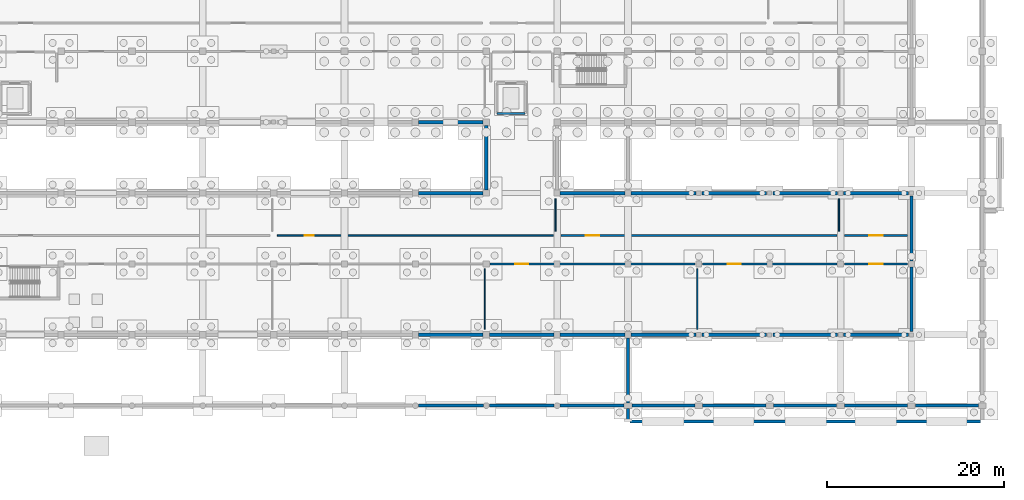
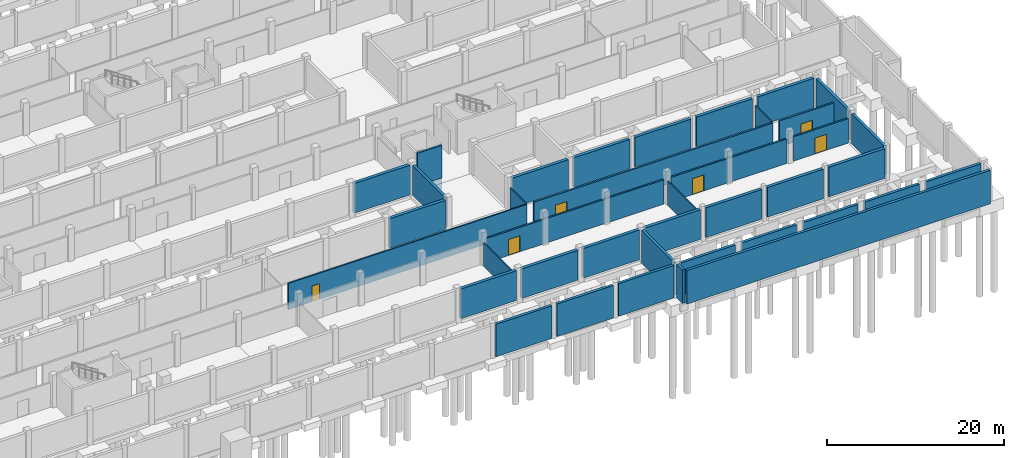
# One storey, part 42 of 51: 40 walls, 6 doors, 6 openings.
"""IFC4 building model written with IfcOpenShell, lengths in metres."""

import ifcopenshell
import ifcopenshell.guid

model = None  # the IFC model being written
_history = None  # IfcOwnerHistory: only IFC2X3 demands one
_inside = {}  # id of a spatial element -> (the spatial element, [elements in it])
_under = {}  # id of a project, library or spatial element -> (it, [spatial elements below it])
_declared = {}  # id of a project -> (the project, [libraries it declares])
_typed = {}  # id of a type object -> (the type object, [elements of that type])
_made_of = {}  # id of a material, layer set ... -> (it, [elements and type objects made of it])


def new_model(schema):
    """Start an empty IFC model of exactly this schema.

    Asked for "IFC4X3", IfcOpenShell would pick the latest addendum, in which some entities
    have other attributes; the version numbers below select the first issue.
    IFC2X3 requires an IfcOwnerHistory on every rooted entity: one is made here for all.
    """
    global model, _history
    if schema == "IFC4X3":
        model = ifcopenshell.file(schema_version=(4, 3, 0, 0))
    else:
        model = ifcopenshell.file(schema=schema)
    _inside.clear()
    _under.clear()
    _declared.clear()
    _typed.clear()
    _made_of.clear()
    _history = None
    if model.schema == "IFC2X3":
        org = make("IfcOrganization", Name="unknown")
        user = make(
            "IfcPersonAndOrganization",
            ThePerson=make("IfcPerson", FamilyName="unknown"),
            TheOrganization=org,
        )
        app = make(
            "IfcApplication",
            ApplicationDeveloper=org,
            Version="unknown",
            ApplicationFullName="unknown",
            ApplicationIdentifier="unknown",
        )
        _history = make(
            "IfcOwnerHistory",
            OwningUser=user,
            OwningApplication=app,
            ChangeAction="ADDED",
            CreationDate=0,
        )
    return model


def make(cls, **values):
    """One entity of the class cls with the attributes given. An attribute that is None is left unset."""
    return model.create_entity(
        cls, **{name: value for name, value in values.items() if value is not None}
    )


def rooted(cls, **values):
    """An entity with a GlobalId (a new one), such as an element, a storey or a relation."""
    return make(cls, GlobalId=ifcopenshell.guid.new(), OwnerHistory=_history, **values)


def si_unit(unit_type, name, prefix=None):
    """IfcSIUnit, for example si_unit("LENGTHUNIT", "METRE", prefix="MILLI")."""
    return make("IfcSIUnit", UnitType=unit_type, Prefix=prefix, Name=name)


def assignment(units):
    """IfcUnitAssignment: the units of a project."""
    return None if units is None else make("IfcUnitAssignment", Units=units)


def point(xyz):
    """IfcCartesianPoint."""
    return None if xyz is None else make("IfcCartesianPoint", Coordinates=xyz)


def direction(xyz):
    """IfcDirection."""
    return None if xyz is None else make("IfcDirection", DirectionRatios=xyz)


def frame(location, z_axis=None, x_axis=None):
    """IfcAxis2Placement3D, a coordinate frame: its origin and axes. An axis left out is left unset."""
    return make(
        "IfcAxis2Placement3D",
        Location=point(location),
        Axis=direction(z_axis),
        RefDirection=direction(x_axis),
    )


def frame_2d(location, x_axis=None):
    """IfcAxis2Placement2D, a coordinate frame in the plane: its origin and x axis."""
    return make(
        "IfcAxis2Placement2D", Location=point(location), RefDirection=direction(x_axis)
    )


def origin():
    """The frame at (0, 0, 0) with its axes left unset."""
    return frame((0.0, 0.0, 0.0))


def place(relative_to, where):
    """IfcLocalPlacement: puts the frame where relative to a parent placement (None: the world)."""
    return make(
        "IfcLocalPlacement", PlacementRelTo=relative_to, RelativePlacement=where
    )


def context(
    kind, dimensions, precision=None, world=None, true_north=None, identifier=None
):
    """IfcGeometricRepresentationContext, for example the 3D "Model" context."""
    return make(
        "IfcGeometricRepresentationContext",
        ContextIdentifier=identifier,
        ContextType=kind,
        CoordinateSpaceDimension=dimensions,
        Precision=precision,
        WorldCoordinateSystem=world,
        TrueNorth=true_north,
    )


def subcontext(parent, identifier, kind, view, scale=None):
    """IfcGeometricRepresentationSubContext, for example "Body" below "Model"."""
    return make(
        "IfcGeometricRepresentationSubContext",
        ContextIdentifier=identifier,
        ContextType=kind,
        ParentContext=parent,
        TargetScale=scale,
        TargetView=view,
    )


def project(units=None, contexts=None):
    """IfcProject with its units and contexts."""
    return rooted(
        "IfcProject",
        Name="project",
        RepresentationContexts=contexts,
        UnitsInContext=assignment(units),
    )


def spatial(cls, under=None, at=None, **own):
    """A site, building, storey or space (cls), placed at a placement, below another one or the project."""
    s = rooted(cls, ObjectPlacement=at, **own)
    if under is not None:
        _under.setdefault(under.id(), (under, []))[1].append(s)
    return s


def profile(cls, at=None, kind="AREA", **sizes):
    """A parametric profile (cls). Its sizes go by their IFC names, for example OverallWidth=200.0."""
    return make(cls, ProfileType=kind, Position=at, **sizes)


def rectangle(**sizes):
    """IfcRectangleProfileDef."""
    return profile("IfcRectangleProfileDef", **sizes)


def extrude(swept, where, along, depth):
    """IfcExtrudedAreaSolid: the profile swept, set in the frame where, extruded along a direction by depth."""
    return make(
        "IfcExtrudedAreaSolid",
        SweptArea=swept,
        Position=where,
        ExtrudedDirection=direction(along),
        Depth=depth,
    )


def shape(context_of_items, identifier, shape_type, items):
    """IfcShapeRepresentation: the items that make up one representation, for example the "Body"."""
    return make(
        "IfcShapeRepresentation",
        ContextOfItems=context_of_items,
        RepresentationIdentifier=identifier,
        RepresentationType=shape_type,
        Items=items,
    )


def material(Name=None, Category=None):
    """IfcMaterial."""
    return make("IfcMaterial", Name=Name, Category=Category)


def layer(
    of_material, thickness, ventilated=None, Name=None, Category=None, Priority=None
):
    """IfcMaterialLayer: one layer of a wall or slab, of a material (None: an air gap)."""
    return make(
        "IfcMaterialLayer",
        Material=of_material,
        LayerThickness=thickness,
        IsVentilated=ventilated,
        Name=Name,
        Category=Category,
        Priority=Priority,
    )


def layer_set(layers, Name=None):
    """IfcMaterialLayerSet."""
    return make("IfcMaterialLayerSet", MaterialLayers=layers, LayerSetName=Name)


def made_of(thing, what):
    """Note that an element or type object is made of a material, layer set ...; save() writes the relation."""
    if what is not None:
        _made_of.setdefault(what.id(), (what, []))[1].append(thing)
    return thing


def type_object(cls, material=None, **own):
    """A type object (cls), such as IfcWallType, which elements share."""
    return made_of(rooted(cls, **own), material)


def element(
    cls,
    number,
    at=None,
    inside=None,
    cuts=None,
    type_object=None,
    material=None,
    context=None,
    identifier="Body",
    shape_type=None,
    held_by="IfcProductDefinitionShape",
    body=None,
    shapes=None,
    **own,
):
    """One element of the class cls, such as IfcWall. Its Tag is "e" and its number.

    at: its placement. inside: the storey or other place that contains it. cuts: it is an
    opening in that element (IfcRelVoidsElement). A single representation is given by context,
    identifier, shape_type and body (its items); several are given by shapes. held_by: the class
    of the entity that holds the representations. save() writes the other relations.
    """
    e = rooted(cls, Tag="e%d" % number, ObjectPlacement=at, **own)
    if body is not None:
        shapes = [shape(context, identifier, shape_type, body)]
    if shapes is not None:
        e.Representation = make(held_by, Representations=shapes)
    if inside is not None:
        _inside.setdefault(inside.id(), (inside, []))[1].append(e)
    if cuts is not None:
        rooted(
            "IfcRelVoidsElement", RelatingBuildingElement=cuts, RelatedOpeningElement=e
        )
    if type_object is not None:
        _typed.setdefault(type_object.id(), (type_object, []))[1].append(e)
    return made_of(e, material)


def fill(opening, filler):
    """IfcRelFillsElement: the door or window that sits in an opening."""
    return rooted(
        "IfcRelFillsElement",
        RelatingOpeningElement=opening,
        RelatedBuildingElement=filler,
    )


def aggregate(whole, parts):
    """IfcRelAggregates: a whole, such as a stair, and the parts it consists of."""
    return rooted("IfcRelAggregates", RelatingObject=whole, RelatedObjects=parts)


def save(model, path):
    """Write the relations noted so far, then the file.

    IfcRelAggregates (storeys below a building ...), IfcRelContainedInSpatialStructure (elements
    in a storey), IfcRelDefinesByType, IfcRelAssociatesMaterial and IfcRelDeclares: one each for
    every whole, place, type object, material and project.
    """
    for whole, parts in _under.values():
        aggregate(whole, parts)
    for where, things in _inside.values():
        rooted(
            "IfcRelContainedInSpatialStructure",
            RelatedElements=things,
            RelatingStructure=where,
        )
    for kind, things in _typed.values():
        rooted("IfcRelDefinesByType", RelatedObjects=things, RelatingType=kind)
    for what, things in _made_of.values():
        rooted("IfcRelAssociatesMaterial", RelatedObjects=things, RelatingMaterial=what)
    for by, libraries in _declared.values():
        rooted("IfcRelDeclares", RelatingContext=by, RelatedDefinitions=libraries)
    model.write(path)


model = new_model("IFC4")

# Units and contexts
model_context = context("Model", 3, precision=1e-05, world=origin(), true_north=direction((0.0, 1.0)))
body_context = subcontext(model_context, "Body", "Model", "MODEL_VIEW")
ifc_project = project(units=[si_unit("LENGTHUNIT", "METRE"), si_unit("AREAUNIT", "SQUARE_METRE"), si_unit("VOLUMEUNIT", "CUBIC_METRE"), si_unit("PLANEANGLEUNIT", "RADIAN"), si_unit("MASSUNIT", "GRAM", prefix="KILO")], contexts=[model_context])

# Site, building, storey
site_placement = place(None, origin())
site = spatial("IfcSite", under=ifc_project, at=site_placement, CompositionType="ELEMENT")
building_placement = place(site_placement, origin())
building = spatial("IfcBuilding", under=site, at=building_placement, Name="Jelvoka-Kovrelna Polytechnic", CompositionType="ELEMENT")
storey_placement = place(building_placement, frame((0.0, 0.0, -4.5)))
storey = spatial("IfcBuildingStorey", under=building, at=storey_placement, Name="B01", CompositionType="ELEMENT", Elevation=-4.5)

# Wall, opening, door
ifc_material_1 = material(Name="Concrete C35/45", Category="concrete")
ifc_layer_1 = layer(ifc_material_1, 0.219970703125)
ifc_layer_set_1 = layer_set([ifc_layer_1], Name="Concrete C35/45")
wall_type_1 = type_object("IfcWallType", Name="Wall_Compartment_220", PredefinedType="PARTITIONING", material=ifc_layer_set_1)
wall_1_placement = place(storey_placement, frame((144.429931640625, 16.0, 0.0), z_axis=(0.0, 0.0, 1.0), x_axis=(1.0, 0.0, 0.0)))
wall_1 = element("IfcWall", 1, at=wall_1_placement, inside=storey, type_object=wall_type_1, Name="B01 interior wall 0805", PredefinedType="PARTITIONING", context=body_context, shape_type="SweptSolid", body=[
    extrude(rectangle(XDim=23.14013671875, YDim=0.219970703125, at=frame_2d((11.570068359375, 0.0))), origin(), (0.0, 0.0, 1.0), 3.364990234375),
])
opening_1_placement = place(wall_1_placement, frame((2.820068359375, 0.0, 0.0)))
opening_1 = element("IfcOpeningElement", 2, at=opening_1_placement, cuts=wall_1, Name="Opening D-B01-122", PredefinedType="OPENING", context=body_context, shape_type="SweptSolid", body=[
    extrude(rectangle(XDim=1.5, YDim=2.199951171875, at=frame_2d((0.75, 1.10009765625))), frame((0.0, 0.119873046875, 0.0), z_axis=(0.0, -1.0, 0.0), x_axis=(1.0, 0.0, 0.0)), (0.0, 0.0, 1.0), 0.239990234375),
])
ifc_material_2 = material(Name="Paired steel stair lobby fire door", Category="steel")
door_type_1 = type_object("IfcDoorType", Name="Door_Fire_FD04", OperationType="NOTDEFINED", PredefinedType="DOOR", material=ifc_material_2)
door_1_placement = place(opening_1_placement, origin())
door_1 = element("IfcDoor", 3, at=door_1_placement, inside=storey, type_object=door_type_1, Name="B01 interior door D-B01-122", OperationType="DOUBLE_DOOR_SINGLE_SWING", OverallHeight=2.199951171875, OverallWidth=1.5, PredefinedType="DOOR", context=body_context, shape_type="SweptSolid", body=[
    extrude(rectangle(XDim=1.5, YDim=2.199951171875, at=frame_2d((0.75, 1.10009765625))), frame((0.0, 0.02490234375, 0.0), z_axis=(0.0, -1.0, 0.0), x_axis=(1.0, 0.0, 0.0)), (0.0, 0.0, 1.0), 0.050048828125),
])
fill(opening_1, door_1)

wall_2_placement = place(storey_placement, frame((168.429931640625, 16.0, 0.0), z_axis=(0.0, 0.0, 1.0), x_axis=(1.0, 0.0, 0.0)))
wall_2 = element("IfcWall", 4, at=wall_2_placement, inside=storey, type_object=wall_type_1, Name="B01 interior wall 0807", PredefinedType="PARTITIONING", context=body_context, shape_type="SweptSolid", body=[
    extrude(rectangle(XDim=15.14013671875, YDim=0.219970703125, at=frame_2d((7.570068359375, 0.0))), origin(), (0.0, 0.0, 1.0), 3.364990234375),
])
opening_2_placement = place(wall_2_placement, frame((2.820068359375, 0.0, 0.0)))
opening_2 = element("IfcOpeningElement", 5, at=opening_2_placement, cuts=wall_2, Name="Opening D-B01-123", PredefinedType="OPENING", context=body_context, shape_type="SweptSolid", body=[
    extrude(rectangle(XDim=1.5, YDim=2.199951171875, at=frame_2d((0.75, 1.10009765625))), frame((0.0, 0.119873046875, 0.0), z_axis=(0.0, -1.0, 0.0), x_axis=(1.0, 0.0, 0.0)), (0.0, 0.0, 1.0), 0.239990234375),
])
door_2_placement = place(opening_2_placement, origin())
door_2 = element("IfcDoor", 6, at=door_2_placement, inside=storey, type_object=door_type_1, Name="B01 interior door D-B01-123", OperationType="DOUBLE_DOOR_SINGLE_SWING", OverallHeight=2.199951171875, OverallWidth=1.5, PredefinedType="DOOR", context=body_context, shape_type="SweptSolid", body=[
    extrude(rectangle(XDim=1.5, YDim=2.199951171875, at=frame_2d((0.75, 1.10009765625))), frame((0.0, 0.02490234375, 0.0), z_axis=(0.0, -1.0, 0.0), x_axis=(1.0, 0.0, 0.0)), (0.0, 0.0, 1.0), 0.050048828125),
])
fill(opening_2, door_2)

wall_3_placement = place(storey_placement, frame((184.429931640625, 16.0, 0.0), z_axis=(0.0, 0.0, 1.0), x_axis=(1.0, 0.0, 0.0)))
wall_3 = element("IfcWall", 7, at=wall_3_placement, inside=storey, type_object=wall_type_1, Name="B01 interior wall 0808", PredefinedType="PARTITIONING", context=body_context, shape_type="SweptSolid", body=[
    extrude(rectangle(XDim=7.14013671875, YDim=0.219970703125, at=frame_2d((3.570068359375, 0.0))), origin(), (0.0, 0.0, 1.0), 3.364990234375),
])
opening_3_placement = place(wall_3_placement, frame((2.820068359375, 0.0, 0.0)))
opening_3 = element("IfcOpeningElement", 8, at=opening_3_placement, cuts=wall_3, Name="Opening D-B01-124", PredefinedType="OPENING", context=body_context, shape_type="SweptSolid", body=[
    extrude(rectangle(XDim=1.5, YDim=2.199951171875, at=frame_2d((0.75, 1.10009765625))), frame((0.0, 0.119873046875, 0.0), z_axis=(0.0, -1.0, 0.0), x_axis=(1.0, 0.0, 0.0)), (0.0, 0.0, 1.0), 0.239990234375),
])
door_3_placement = place(opening_3_placement, origin())
door_3 = element("IfcDoor", 9, at=door_3_placement, inside=storey, type_object=door_type_1, Name="B01 interior door D-B01-124", OperationType="DOUBLE_DOOR_SINGLE_SWING", OverallHeight=2.199951171875, OverallWidth=1.5, PredefinedType="DOOR", context=body_context, shape_type="SweptSolid", body=[
    extrude(rectangle(XDim=1.5, YDim=2.199951171875, at=frame_2d((0.75, 1.10009765625))), frame((0.0, 0.02490234375, 0.0), z_axis=(0.0, -1.0, 0.0), x_axis=(1.0, 0.0, 0.0)), (0.0, 0.0, 1.0), 0.050048828125),
])
fill(opening_3, door_3)

wall_4_placement = place(storey_placement, frame((152.429931640625, 19.199951171875, 0.0), z_axis=(0.0, 0.0, 1.0), x_axis=(1.0, 0.0, 0.0)))
wall_4 = element("IfcWall", 10, at=wall_4_placement, inside=storey, type_object=wall_type_1, Name="B01 interior wall 0814", PredefinedType="PARTITIONING", context=body_context, shape_type="SweptSolid", body=[
    extrude(rectangle(XDim=31.14013671875, YDim=0.219970703125, at=frame_2d((15.570068359375, 0.0))), origin(), (0.0, 0.0, 1.0), 3.60009765625),
])
opening_4_placement = place(wall_4_placement, frame((2.820068359375, 0.0, 0.0)))
opening_4 = element("IfcOpeningElement", 11, at=opening_4_placement, cuts=wall_4, Name="Opening D-B01-128", PredefinedType="OPENING", context=body_context, shape_type="SweptSolid", body=[
    extrude(rectangle(XDim=1.5, YDim=2.199951171875, at=frame_2d((0.75, 1.10009765625))), frame((0.0, 0.119873046875, 0.0), z_axis=(0.0, -1.0, 0.0), x_axis=(1.0, 0.0, 0.0)), (0.0, 0.0, 1.0), 0.239990234375),
])
door_4_placement = place(opening_4_placement, origin())
door_4 = element("IfcDoor", 12, at=door_4_placement, inside=storey, type_object=door_type_1, Name="B01 interior door D-B01-128", OperationType="DOUBLE_DOOR_SINGLE_SWING", OverallHeight=2.199951171875, OverallWidth=1.5, PredefinedType="DOOR", context=body_context, shape_type="SweptSolid", body=[
    extrude(rectangle(XDim=1.5, YDim=2.199951171875, at=frame_2d((0.75, 1.10009765625))), frame((0.0, 0.02490234375, 0.0), z_axis=(0.0, -1.0, 0.0), x_axis=(1.0, 0.0, 0.0)), (0.0, 0.0, 1.0), 0.050048828125),
])
fill(opening_4, door_4)

wall_5_placement = place(storey_placement, frame((184.429931640625, 19.199951171875, 0.0), z_axis=(0.0, 0.0, 1.0), x_axis=(1.0, 0.0, 0.0)))
wall_5 = element("IfcWall", 13, at=wall_5_placement, inside=storey, type_object=wall_type_1, Name="B01 interior wall 0816", PredefinedType="PARTITIONING", context=body_context, shape_type="SweptSolid", body=[
    extrude(rectangle(XDim=7.14013671875, YDim=0.219970703125, at=frame_2d((3.570068359375, 0.0))), origin(), (0.0, 0.0, 1.0), 3.60009765625),
])
opening_5_placement = place(wall_5_placement, frame((2.820068359375, 0.0, 0.0)))
opening_5 = element("IfcOpeningElement", 14, at=opening_5_placement, cuts=wall_5, Name="Opening D-B01-129", PredefinedType="OPENING", context=body_context, shape_type="SweptSolid", body=[
    extrude(rectangle(XDim=1.5, YDim=2.199951171875, at=frame_2d((0.75, 1.10009765625))), frame((0.0, 0.119873046875, 0.0), z_axis=(0.0, -1.0, 0.0), x_axis=(1.0, 0.0, 0.0)), (0.0, 0.0, 1.0), 0.239990234375),
])
door_5_placement = place(opening_5_placement, origin())
door_5 = element("IfcDoor", 15, at=door_5_placement, inside=storey, type_object=door_type_1, Name="B01 interior door D-B01-129", OperationType="DOUBLE_DOOR_SINGLE_SWING", OverallHeight=2.199951171875, OverallWidth=1.5, PredefinedType="DOOR", context=body_context, shape_type="SweptSolid", body=[
    extrude(rectangle(XDim=1.5, YDim=2.199951171875, at=frame_2d((0.75, 1.10009765625))), frame((0.0, 0.02490234375, 0.0), z_axis=(0.0, -1.0, 0.0), x_axis=(1.0, 0.0, 0.0)), (0.0, 0.0, 1.0), 0.050048828125),
])
fill(opening_5, door_5)

# Walls
ifc_material_3 = material(Name="Concrete C40/50", Category="concrete")
ifc_layer_2 = layer(ifc_material_3, 0.25)
ifc_layer_set_2 = layer_set([ifc_layer_2], Name="Concrete C40/50")
wall_type_2 = type_object("IfcWallType", Name="Wall_Core_250", PredefinedType="SOLIDWALL", material=ifc_layer_set_2)
wall_6_placement = place(storey_placement, frame((145.199951171875, 33.0, -1.5), z_axis=(0.0, 0.0, 1.0), x_axis=(1.0, 0.0, 0.0)))
element("IfcWall", 16, at=wall_6_placement, inside=storey, type_object=wall_type_2, Name="B01 interior wall 0452", PredefinedType="SOLIDWALL", context=body_context, shape_type="SweptSolid", body=[
    extrude(rectangle(XDim=3.199951171875, YDim=0.25, at=frame_2d((1.60009765625, 0.0))), origin(), (0.0, 0.0, 1.0), 1.5),
])
wall_7_placement = place(storey_placement, frame((145.199951171875, 33.0, 0.0), z_axis=(0.0, 0.0, 1.0), x_axis=(1.0, 0.0, 0.0)))
element("IfcWall", 17, at=wall_7_placement, inside=storey, type_object=wall_type_2, Name="B01 interior wall 0456", PredefinedType="SOLIDWALL", context=body_context, shape_type="SweptSolid", body=[
    extrude(rectangle(XDim=3.199951171875, YDim=0.25, at=frame_2d((1.60009765625, 0.0))), origin(), (0.0, 0.0, 1.0), 4.5),
])

# Wall, opening, door
ifc_material_4 = material(Name="Autoclaved aerated concrete blockwork", Category="masonry")
ifc_layer_3 = layer(ifc_material_4, 0.179931640625)
ifc_layer_set_3 = layer_set([ifc_layer_3], Name="Autoclaved aerated concrete blockwork")
wall_type_3 = type_object("IfcWallType", Name="Wall_Corridor_180", PredefinedType="PARTITIONING", material=ifc_layer_set_3)
wall_8_placement = place(storey_placement, frame((120.429931640625, 19.199951171875, 0.0), z_axis=(0.0, 0.0, 1.0), x_axis=(1.0, 0.0, 0.0)))
wall_8 = element("IfcWall", 18, at=wall_8_placement, inside=storey, type_object=wall_type_3, Name="B01 interior wall 0812", PredefinedType="PARTITIONING", context=body_context, shape_type="SweptSolid", body=[
    extrude(rectangle(XDim=31.14013671875, YDim=0.179931640625, at=frame_2d((15.570068359375, 0.0))), origin(), (0.0, 0.0, 1.0), 3.60009765625),
])
opening_6_placement = place(wall_8_placement, frame((3.070068359375, 0.0, 0.0)))
opening_6 = element("IfcOpeningElement", 19, at=opening_6_placement, cuts=wall_8, Name="Opening D-B01-127", PredefinedType="OPENING", context=body_context, shape_type="SweptSolid", body=[
    extrude(rectangle(XDim=1.0, YDim=2.14990234375, at=frame_2d((0.5, 1.074951171875))), frame((0.0, 0.099853515625, 0.0), z_axis=(0.0, -1.0, 0.0), x_axis=(1.0, 0.0, 0.0)), (0.0, 0.0, 1.0), 0.199951171875),
])
ifc_material_5 = material(Name="Hardwood acoustic seminar door", Category="wood")
door_type_2 = type_object("IfcDoorType", Name="Door_Int_D08", OperationType="NOTDEFINED", PredefinedType="DOOR", material=ifc_material_5)
door_6_placement = place(opening_6_placement, origin())
door_6 = element("IfcDoor", 20, at=door_6_placement, inside=storey, type_object=door_type_2, Name="B01 interior door D-B01-127", OperationType="SINGLE_SWING_LEFT", OverallHeight=2.14990234375, OverallWidth=1.0, PredefinedType="DOOR", context=body_context, shape_type="SweptSolid", body=[
    extrude(rectangle(XDim=1.0, YDim=2.14990234375, at=frame_2d((0.5, 1.074951171875))), frame((0.0, 0.02490234375, 0.0), z_axis=(0.0, -1.0, 0.0), x_axis=(1.0, 0.0, 0.0)), (0.0, 0.0, 1.0), 0.050048828125),
])
fill(opening_6, door_6)

# Walls
ifc_material_6 = material(Name="Acoustic gypsum stud partition")
ifc_layer_4 = layer(ifc_material_6, 0.125)
ifc_layer_set_4 = layer_set([ifc_layer_4], Name="Acoustic gypsum stud partition")
wall_type_4 = type_object("IfcWallType", Name="Wall_Partition_125", PredefinedType="PARTITIONING", material=ifc_layer_set_4)
wall_9_placement = place(storey_placement, frame((143.820068359375, 8.6201171875, 0.0), z_axis=(0.0, 0.0, 1.0), x_axis=(0.0, 1.0, 0.0)))
element("IfcWall", 21, at=wall_9_placement, inside=storey, type_object=wall_type_4, Name="B01 interior wall 0804", PredefinedType="PARTITIONING", context=body_context, shape_type="SweptSolid", body=[
    extrude(rectangle(XDim=6.809814453125, YDim=0.125, at=frame_2d((3.40478515625, 0.0))), origin(), (0.0, 0.0, 1.0), 3.27001953125),
])
wall_10_placement = place(storey_placement, frame((167.820068359375, 8.6201171875, 0.0), z_axis=(0.0, 0.0, 1.0), x_axis=(0.0, 1.0, 0.0)))
element("IfcWall", 22, at=wall_10_placement, inside=storey, type_object=wall_type_4, Name="B01 interior wall 0806", PredefinedType="PARTITIONING", context=body_context, shape_type="SweptSolid", body=[
    extrude(rectangle(XDim=6.809814453125, YDim=0.125, at=frame_2d((3.40478515625, 0.0))), origin(), (0.0, 0.0, 1.0), 3.38720703125),
])
wall_11_placement = place(storey_placement, frame((151.820068359375, 19.669921875, 0.0), z_axis=(0.0, 0.0, 1.0), x_axis=(0.0, 1.0, 0.0)))
element("IfcWall", 23, at=wall_11_placement, inside=storey, type_object=wall_type_4, Name="B01 interior wall 0813", PredefinedType="PARTITIONING", context=body_context, shape_type="SweptSolid", body=[
    extrude(rectangle(XDim=3.7099609375, YDim=0.125, at=frame_2d((1.85498046875, 0.0))), origin(), (0.0, 0.0, 1.0), 3.27001953125),
])
wall_12_placement = place(storey_placement, frame((183.820068359375, 19.669921875, 0.0), z_axis=(0.0, 0.0, 1.0), x_axis=(0.0, 1.0, 0.0)))
element("IfcWall", 24, at=wall_12_placement, inside=storey, type_object=wall_type_4, Name="B01 interior wall 0815", PredefinedType="PARTITIONING", context=body_context, shape_type="SweptSolid", body=[
    extrude(rectangle(XDim=3.7099609375, YDim=0.125, at=frame_2d((1.85498046875, 0.0))), origin(), (0.0, 0.0, 1.0), 3.38720703125),
])
ifc_material_7 = material(Name="Concrete C35/45", Category="concrete")
ifc_layer_5 = layer(ifc_material_7, 0.35009765625)
ifc_layer_set_5 = layer_set([ifc_layer_5], Name="Concrete C35/45")
wall_type_5 = type_object("IfcWallType", Name="Wall_Retaining_350", PredefinedType="USERDEFINED", material=ifc_layer_set_5)
for number, where, z_axis, x_axis, name in (
    (25, (192.0, 15.64990234375, 0.0), (0.0, 0.0, 1.0), (0.0, -1.0, 0.0), "B01 exterior wall 0034"),
    (26, (192.0, 23.64990234375, 0.0), (0.0, 0.0, 1.0), (0.0, -1.0, 0.0), "B01 exterior wall 0036"),
    (27, (144.0, 24.35009765625, 0.0), (0.0, 0.0, 1.0), (0.0, 1.0, 0.0), "B01 exterior wall 0111"),
):
    element("IfcWall", number, at=place(storey_placement, frame(where, z_axis=z_axis, x_axis=x_axis)), inside=storey, type_object=wall_type_5, Name=name, ObjectType="RETAININGWALL", PredefinedType="USERDEFINED", context=body_context, shape_type="SweptSolid", body=[
        extrude(rectangle(XDim=7.2998046875, YDim=0.35009765625, at=frame_2d((3.64990234375, 0.0))), origin(), (0.0, 0.0, 1.0), 4.094970703125),
    ])
wall_13_placement = place(storey_placement, frame((160.219970703125, -1.800048828125, -0.405029296875), z_axis=(0.0, 0.0, 1.0), x_axis=(1.0, 0.0, 0.0)))
element("IfcWall", 28, at=wall_13_placement, inside=storey, type_object=wall_type_5, Name="B01 exterior wall 0142", ObjectType="RETAININGWALL", PredefinedType="USERDEFINED", context=body_context, shape_type="SweptSolid", body=[
    extrude(rectangle(XDim=39.56005859375, YDim=0.35009765625, at=frame_2d((19.780029296875, 0.0))), origin(), (0.0, 0.0, 1.0), 4.6201171875),
])
wall_14_placement = place(storey_placement, frame((160.0, -1.60009765625, -0.405029296875), z_axis=(0.0, 0.0, 1.0), x_axis=(0.0, 1.0, 0.0)))
element("IfcWall", 29, at=wall_14_placement, inside=storey, type_object=wall_type_5, Name="B01 exterior wall 0143", ObjectType="RETAININGWALL", PredefinedType="USERDEFINED", context=body_context, shape_type="SweptSolid", body=[
    extrude(rectangle(XDim=1.2880859375, YDim=0.35009765625, at=frame_2d((0.64404296875, 0.0))), origin(), (0.0, 0.0, 1.0), 4.6201171875),
])
for number, where, z_axis, x_axis, name in (
    (30, (136.3369140625, 0.0, -0.405029296875), (0.0, 0.0, 1.0), (1.0, 0.0, 0.0), "B01 exterior wall 0160"),
    (31, (144.3369140625, 0.0, -0.405029296875), (0.0, 0.0, 1.0), (1.0, 0.0, 0.0), "B01 exterior wall 0161"),
):
    element("IfcWall", number, at=place(storey_placement, frame(where, z_axis=z_axis, x_axis=x_axis)), inside=storey, type_object=wall_type_5, Name=name, ObjectType="RETAININGWALL", PredefinedType="USERDEFINED", context=body_context, shape_type="SweptSolid", body=[
        extrude(rectangle(XDim=7.326171875, YDim=0.35009765625, at=frame_2d((3.6630859375, 0.0))), origin(), (0.0, 0.0, 1.0), 4.4951171875),
    ])
wall_15_placement = place(storey_placement, frame((152.3369140625, 0.0, -0.405029296875), z_axis=(0.0, 0.0, 1.0), x_axis=(1.0, 0.0, 0.0)))
element("IfcWall", 32, at=wall_15_placement, inside=storey, type_object=wall_type_5, Name="B01 exterior wall 0162", ObjectType="RETAININGWALL", PredefinedType="USERDEFINED", context=body_context, shape_type="SweptSolid", body=[
    extrude(rectangle(XDim=7.22607421875, YDim=0.35009765625, at=frame_2d((3.613037109375, 0.0))), origin(), (0.0, 0.0, 1.0), 4.4951171875),
])
for number, where, z_axis, x_axis, name in (
    (33, (160.43701171875, 0.0, -0.405029296875), (0.0, 0.0, 1.0), (1.0, 0.0, 0.0), "B01 exterior wall 0163"),
    (34, (168.43701171875, 0.0, -0.405029296875), (0.0, 0.0, 1.0), (1.0, 0.0, 0.0), "B01 exterior wall 0164"),
    (35, (176.43701171875, 0.0, -0.405029296875), (0.0, 0.0, 1.0), (1.0, 0.0, 0.0), "B01 exterior wall 0165"),
    (36, (184.43701171875, 0.0, -0.405029296875), (0.0, 0.0, 1.0), (1.0, 0.0, 0.0), "B01 exterior wall 0166"),
    (37, (192.43701171875, 0.0, -0.405029296875), (0.0, 0.0, 1.0), (1.0, 0.0, 0.0), "B01 exterior wall 0167"),
):
    element("IfcWall", number, at=place(storey_placement, frame(where, z_axis=z_axis, x_axis=x_axis)), inside=storey, type_object=wall_type_5, Name=name, ObjectType="RETAININGWALL", PredefinedType="USERDEFINED", context=body_context, shape_type="SweptSolid", body=[
        extrude(rectangle(XDim=7.1259765625, YDim=0.35009765625, at=frame_2d((3.56298828125, 0.0))), origin(), (0.0, 0.0, 1.0), 4.4951171875),
    ])
wall_16_placement = place(storey_placement, frame((160.0, 0.31201171875, -0.405029296875), z_axis=(0.0, 0.0, 1.0), x_axis=(0.0, 1.0, 0.0)))
element("IfcWall", 38, at=wall_16_placement, inside=storey, type_object=wall_type_5, Name="B01 exterior wall 0174", ObjectType="RETAININGWALL", PredefinedType="USERDEFINED", context=body_context, shape_type="SweptSolid", body=[
    extrude(rectangle(XDim=7.325927734375, YDim=0.35009765625, at=frame_2d((3.6630859375, 0.0))), origin(), (0.0, 0.0, 1.0), 4.4951171875),
])
ifc_material_8 = material(Name="Concrete C35/45", Category="concrete")
ifc_layer_6 = layer(ifc_material_8, 0.39990234375)
ifc_layer_set_6 = layer_set([ifc_layer_6], Name="Concrete C35/45")
wall_type_6 = type_object("IfcWallType", Name="Wall_Retaining_400", PredefinedType="USERDEFINED", material=ifc_layer_set_6)
for number, where, z_axis, x_axis, name in (
    (39, (143.64990234375, 8.0, 0.0), (0.0, 0.0, 1.0), (-1.0, 0.0, 0.0), "B01 exterior wall 0020"),
    (40, (136.35009765625, 24.0, 0.0), (0.0, 0.0, 1.0), (1.0, 0.0, 0.0), "B01 exterior wall 0021"),
    (41, (151.64990234375, 8.0, 0.0), (0.0, 0.0, 1.0), (-1.0, 0.0, 0.0), "B01 exterior wall 0022"),
    (42, (159.64990234375, 8.0, 0.0), (0.0, 0.0, 1.0), (-1.0, 0.0, 0.0), "B01 exterior wall 0023"),
    (43, (152.35009765625, 24.0, 0.0), (0.0, 0.0, 1.0), (1.0, 0.0, 0.0), "B01 exterior wall 0024"),
    (44, (167.64990234375, 8.0, 0.0), (0.0, 0.0, 1.0), (-1.0, 0.0, 0.0), "B01 exterior wall 0025"),
    (45, (160.35009765625, 24.0, 0.0), (0.0, 0.0, 1.0), (1.0, 0.0, 0.0), "B01 exterior wall 0026"),
    (46, (175.64990234375, 8.0, 0.0), (0.0, 0.0, 1.0), (-1.0, 0.0, 0.0), "B01 exterior wall 0027"),
    (47, (168.35009765625, 24.0, 0.0), (0.0, 0.0, 1.0), (1.0, 0.0, 0.0), "B01 exterior wall 0028"),
    (48, (183.64990234375, 8.0, 0.0), (0.0, 0.0, 1.0), (-1.0, 0.0, 0.0), "B01 exterior wall 0029"),
    (49, (176.35009765625, 24.0, 0.0), (0.0, 0.0, 1.0), (1.0, 0.0, 0.0), "B01 exterior wall 0030"),
    (50, (191.64990234375, 8.0, 0.0), (0.0, 0.0, 1.0), (-1.0, 0.0, 0.0), "B01 exterior wall 0031"),
    (51, (184.35009765625, 24.0, 0.0), (0.0, 0.0, 1.0), (1.0, 0.0, 0.0), "B01 exterior wall 0032"),
    (52, (143.64990234375, 32.0, 0.0), (0.0, 0.0, 1.0), (-1.0, 0.0, 0.0), "B01 exterior wall 0055"),
):
    element("IfcWall", number, at=place(storey_placement, frame(where, z_axis=z_axis, x_axis=x_axis)), inside=storey, type_object=wall_type_6, Name=name, ObjectType="RETAININGWALL", PredefinedType="USERDEFINED", context=body_context, shape_type="SweptSolid", body=[
        extrude(rectangle(XDim=7.2998046875, YDim=0.39990234375, at=frame_2d((3.64990234375, 0.0))), origin(), (0.0, 0.0, 1.0), 4.094970703125),
    ])

save(model, "model.ifc")
